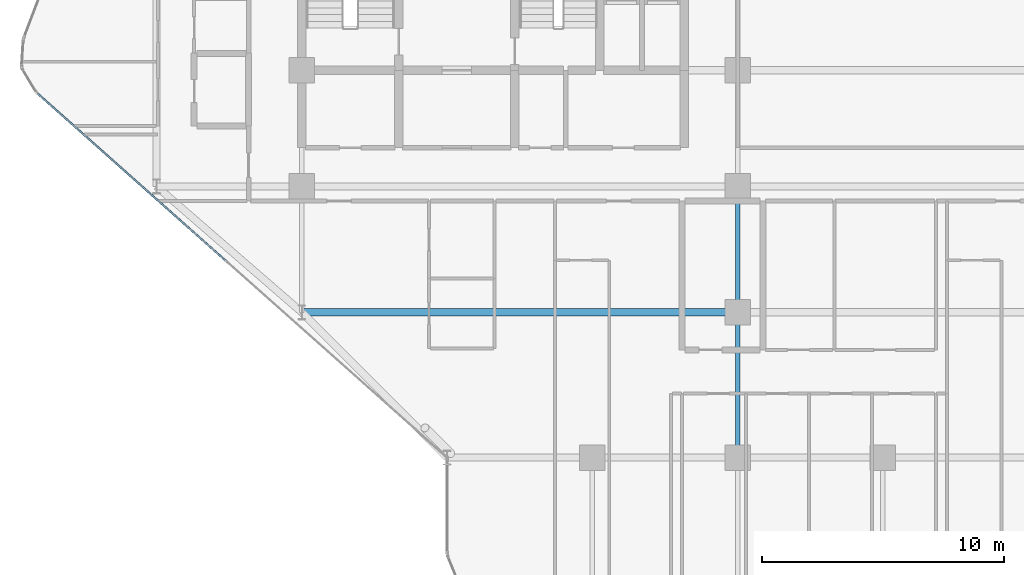
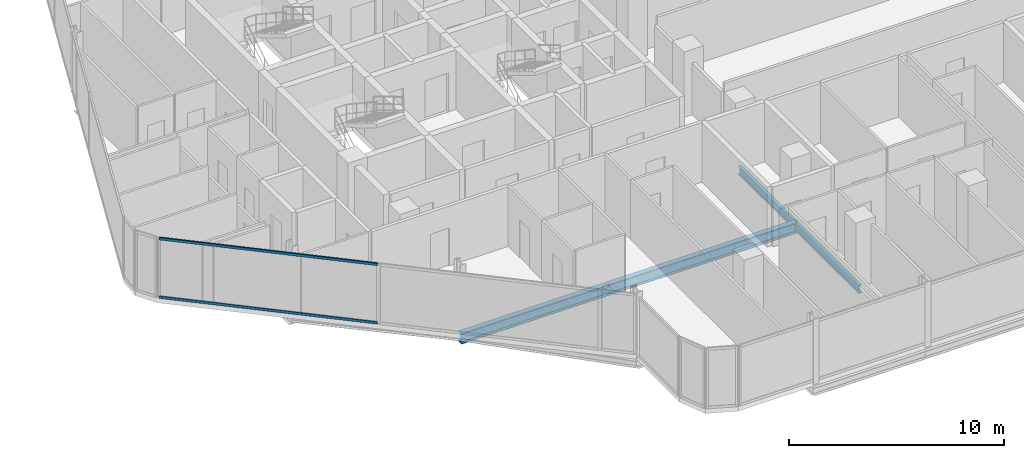
# One storey, part 5 of 29: 3 beams, 2 members, 1 element without a shape of its own.
"""IFC4 building model written with IfcOpenShell, lengths in metres."""

from ifc_helpers import new_model, si_unit, direction, frame, origin, origin_2d, place, context, subcontext, project, spatial, hollow_rectangle, i_section, extrude, material, layer, layer_set, material_profile, profile_set, type_object, element, aggregate, save


model = new_model("IFC4")

# Units and contexts
model_context = context("Model", 3, precision=1e-05, world=origin(), true_north=direction((0.0, 1.0)))
body_context = subcontext(model_context, "Body", "Model", "MODEL_VIEW")
ifc_project = project(units=[si_unit("LENGTHUNIT", "METRE"), si_unit("AREAUNIT", "SQUARE_METRE"), si_unit("VOLUMEUNIT", "CUBIC_METRE"), si_unit("PLANEANGLEUNIT", "RADIAN"), si_unit("MASSUNIT", "GRAM", prefix="KILO")], contexts=[model_context])

# Site, building, storey
site_placement = place(None, origin())
site = spatial("IfcSite", under=ifc_project, at=site_placement, CompositionType="ELEMENT")
building_placement = place(site_placement, origin())
building = spatial("IfcBuilding", under=site, at=building_placement, Name="Keshet Zoharim Tower", CompositionType="ELEMENT")
storey_placement = place(building_placement, frame((0.0, 0.0, 98.300048828125)))
storey = spatial("IfcBuildingStorey", under=building, at=storey_placement, Name="L23", CompositionType="ELEMENT", Elevation=98.300048828125)

# Beams
ifc_material_1 = material(Name="Steel S355", Category="steel")
ifc_material_profile_1 = material_profile(ifc_material_1, i_section(OverallWidth=0.300048828125, OverallDepth=0.60009765625, WebThickness=0.015380859375, FlangeThickness=0.030029296875, FilletRadius=0.027099609375, at=origin_2d()), Name="HEB600")
ifc_profile_set_1 = profile_set([ifc_material_profile_1], Name="Steel S355")
beam_type_1 = type_object("IfcBeamType", Name="BM-LNG-HB600", PredefinedType="BEAM", material=ifc_profile_set_1)
beam_1_placement = place(storey_placement, frame((15.0, 12.699951171875, -0.614990234375), z_axis=(1.0, 0.0, 0.0), x_axis=(0.0, 1.0, 0.0)))
element("IfcBeam", 1, at=beam_1_placement, inside=storey, type_object=beam_type_1, Name="L23 Primary Girder X-009", PredefinedType="BEAM", context=body_context, shape_type="SweptSolid", body=[
    extrude(i_section(OverallWidth=0.300048828125, OverallDepth=0.60009765625, WebThickness=0.015380859375, FlangeThickness=0.030029296875, FilletRadius=0.027099609375, at=origin_2d()), origin(), (0.0, 0.0, 1.0), 18.0),
])
ifc_material_profile_2 = material_profile(ifc_material_1, i_section(OverallWidth=0.18994140625, OverallDepth=0.449951171875, WebThickness=0.009521484375, FlangeThickness=0.0146484375, FilletRadius=0.02099609375, at=origin_2d()), Name="IPE450")
ifc_profile_set_2 = profile_set([ifc_material_profile_2], Name="Steel S355")
beam_type_2 = type_object("IfcBeamType", Name="BM-PRI-IP450", PredefinedType="BEAM", material=ifc_profile_set_2)
beam_2_placement = place(storey_placement, frame((33.0, 6.699951171875, -0.5400390625), z_axis=(0.0, 1.0, 0.0), x_axis=(-1.0, 0.0, 0.0)))
element("IfcBeam", 2, at=beam_2_placement, inside=storey, type_object=beam_type_2, Name="L23 Primary Girder Y-006", PredefinedType="BEAM", context=body_context, shape_type="SweptSolid", body=[
    extrude(i_section(OverallWidth=0.18994140625, OverallDepth=0.449951171875, WebThickness=0.009521484375, FlangeThickness=0.0146484375, FilletRadius=0.02099609375, at=origin_2d()), origin(), (0.0, 0.0, 1.0), 6.0),
])
beam_3_placement = place(storey_placement, frame((33.0, 12.699951171875, -0.5400390625), z_axis=(0.0, 1.0, 0.0), x_axis=(-1.0, 0.0, 0.0)))
element("IfcBeam", 3, at=beam_3_placement, inside=storey, type_object=beam_type_2, Name="L23 Primary Girder Y-007", PredefinedType="BEAM", context=body_context, shape_type="SweptSolid", body=[
    extrude(i_section(OverallWidth=0.18994140625, OverallDepth=0.449951171875, WebThickness=0.009521484375, FlangeThickness=0.0146484375, FilletRadius=0.02099609375, at=origin_2d()), origin(), (0.0, 0.0, 1.0), 5.199951171875),
])

# Curtain wall, members
ifc_material_2 = material(Name="Aluminium 6063-T6", Category="aluminium")
ifc_layer = layer(ifc_material_2, 0.159912109375)
ifc_layer_set = layer_set([ifc_layer], Name="Aluminium 6063-T6")
curtain_wall_type = type_object("IfcCurtainWallType", Name="CW-SYS-03", PredefinedType="NOTDEFINED", material=ifc_layer_set)
curtain_wall_placement = place(storey_placement, origin())
curtain_wall = element("IfcCurtainWall", 4, at=curtain_wall_placement, inside=storey, type_object=curtain_wall_type, Name="L23 Unitised Curtain Wall 07 Part 2", PredefinedType="NOTDEFINED")
ifc_material_profile_3 = material_profile(ifc_material_2, hollow_rectangle(XDim=0.080078125, YDim=0.139892578125, WallThickness=0.00390625, at=origin_2d()), Name="TRN-80x140")
ifc_profile_set_3 = profile_set([ifc_material_profile_3], Name="Aluminium 6063-T6")
member_type = type_object("IfcMemberType", Name="CWT-T14", PredefinedType="USERDEFINED", material=ifc_profile_set_3)
member_1_placement = place(storey_placement, frame((11.83349609375, 14.847900390625, 0.034912109375), z_axis=(-0.747405419639, 0.664368225229, 0.0), x_axis=(-0.664368225229, -0.747405419639, 0.0)))
member_1 = element("IfcMember", 5, at=member_1_placement, type_object=member_type, Name="CW-03 transom 2.1", ObjectType="TRANSOM", PredefinedType="USERDEFINED", context=body_context, shape_type="SweptSolid", body=[
    extrude(hollow_rectangle(XDim=0.080078125, YDim=0.139892578125, WallThickness=0.00390625, at=origin_2d()), origin(), (0.0, 0.0, 1.0), 10.364013671875),
])
member_2_placement = place(storey_placement, frame((11.83349609375, 14.847900390625, 3.349853515625), z_axis=(-0.747405419639, 0.664368225229, 0.0), x_axis=(-0.664368225229, -0.747405419639, 0.0)))
member_2 = element("IfcMember", 6, at=member_2_placement, type_object=member_type, Name="CW-03 transom 2.2", ObjectType="TRANSOM", PredefinedType="USERDEFINED", context=body_context, shape_type="SweptSolid", body=[
    extrude(hollow_rectangle(XDim=0.080078125, YDim=0.139892578125, WallThickness=0.00390625, at=origin_2d()), origin(), (0.0, 0.0, 1.0), 10.364013671875),
])
aggregate(curtain_wall, [member_1, member_2])

save(model, "model.ifc")
